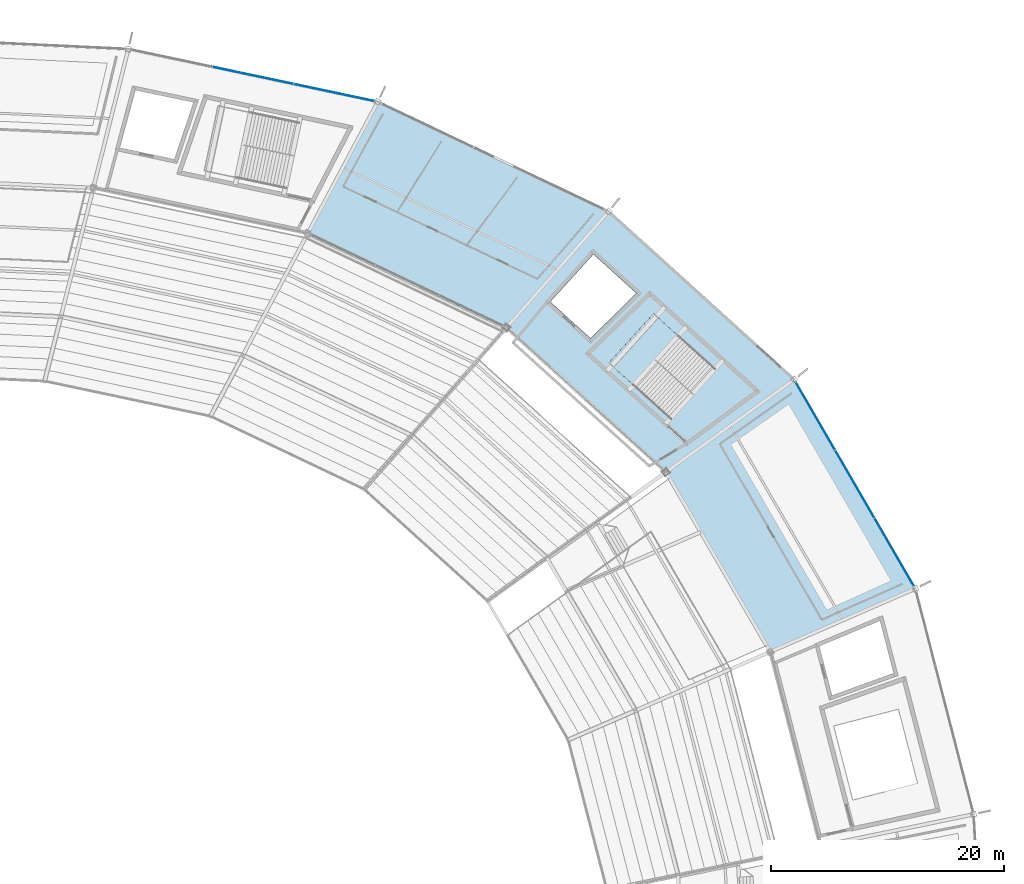
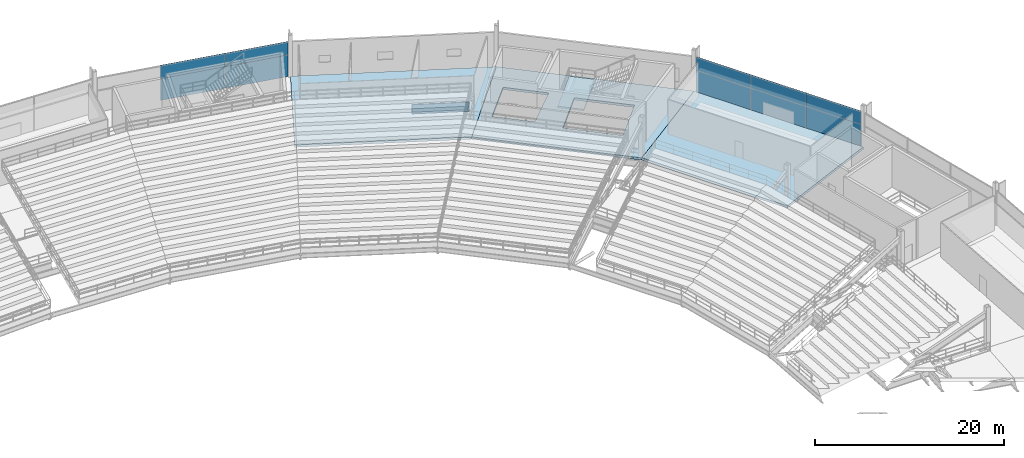
# One storey, part 124 of 186: 11 plates, 4 slabs, 4 elements without a shape of their own.
"""IFC4 building model written with IfcOpenShell, lengths in metres."""

from ifc_helpers import new_model, si_unit, direction, frame, origin, origin_2d, place, context, subcontext, project, spatial, polyline, rectangle, outline, extrude, material, layer, layer_set, type_object, element, aggregate, save


model = new_model("IFC4")

# Units and contexts
model_context = context("Model", 3, precision=1e-05, world=origin(), true_north=direction((0.0, 1.0)))
body_context = subcontext(model_context, "Body", "Model", "MODEL_VIEW")
ifc_project = project(units=[si_unit("LENGTHUNIT", "METRE"), si_unit("AREAUNIT", "SQUARE_METRE"), si_unit("VOLUMEUNIT", "CUBIC_METRE"), si_unit("PLANEANGLEUNIT", "RADIAN"), si_unit("MASSUNIT", "GRAM", prefix="KILO")], contexts=[model_context])

# Site, building, storey
site_placement = place(None, origin())
site = spatial("IfcSite", under=ifc_project, at=site_placement, CompositionType="ELEMENT")
building_placement = place(site_placement, origin())
building = spatial("IfcBuilding", under=site, at=building_placement, Name="Kazemori Nagisa Stadium", CompositionType="ELEMENT")
storey_placement = place(building_placement, frame((0.0, 0.0, 20.39990234375)))
storey = spatial("IfcBuildingStorey", under=building, at=storey_placement, Name="L04", CompositionType="ELEMENT", Elevation=20.39990234375)

# Curtain wall, plate
ifc_material_1 = material(Name="Anodised aluminium 6063-T5", Category="aluminium")
ifc_layer_1 = layer(ifc_material_1, 0.179931640625, Name="Anodised aluminium 6063-T5", Category="aluminium")
ifc_layer_set_1 = layer_set([ifc_layer_1], Name="Anodised aluminium 6063-T5")
curtain_wall_type_1 = type_object("IfcCurtainWallType", Name="CW_L04B_92", PredefinedType="USERDEFINED", material=ifc_layer_set_1)
curtain_wall_1_placement = place(storey_placement, origin())
curtain_wall_1 = element("IfcCurtainWall", 1, at=curtain_wall_1_placement, inside=storey, type_object=curtain_wall_type_1, Name="Unitised curtain wall CW-L04B-92 L04", ObjectType="UNITISED CURTAIN WALL", PredefinedType="USERDEFINED")
ifc_material_2 = material(Name="Anodised aluminium spandrel sheet", Category="aluminium")
ifc_layer_2 = layer(ifc_material_2, 0.0439453125, Name="Anodised aluminium spandrel sheet", Category="aluminium")
ifc_layer_set_2 = layer_set([ifc_layer_2], Name="Anodised aluminium spandrel sheet")
plate_type_1 = type_object("IfcPlateType", Name="CWPanel_SPN_L04B_92", PredefinedType="CURTAIN_PANEL", material=ifc_layer_set_2)
plate_1_placement = place(storey_placement, frame((173.819580078125, 164.543212890625, 3.352294921875), z_axis=(0.0, 0.0, 1.0), x_axis=(-0.903215892654, 0.429186499388, 0.0)))
plate_1 = element("IfcPlate", 2, at=plate_1_placement, type_object=plate_type_1, Name="Curtain wall spandrel panel CW-L04B-92-S1", PredefinedType="CURTAIN_PANEL", context=body_context, shape_type="SweptSolid", body=[
    extrude(rectangle(XDim=6.061279296875, YDim=0.0439453125, at=origin_2d()), origin(), (0.0, 0.0, 1.0), 1.177734375),
])
aggregate(curtain_wall_1, [plate_1])

# Curtain wall, plates
ifc_layer_3 = layer(ifc_material_1, 0.179931640625, Name="Anodised aluminium 6063-T5", Category="aluminium")
ifc_layer_set_3 = layer_set([ifc_layer_3], Name="Anodised aluminium 6063-T5")
curtain_wall_type_2 = type_object("IfcCurtainWallType", Name="CW_L04R3_101", PredefinedType="USERDEFINED", material=ifc_layer_set_3)
curtain_wall_2_placement = place(storey_placement, origin())
curtain_wall_2 = element("IfcCurtainWall", 3, at=curtain_wall_2_placement, inside=storey, type_object=curtain_wall_type_2, Name="Unitised curtain wall CW-L04R3-101 L04", ObjectType="UNITISED CURTAIN WALL", PredefinedType="USERDEFINED")
ifc_layer_4 = layer(ifc_material_2, 0.0458984375, Name="Anodised aluminium spandrel sheet", Category="aluminium")
ifc_layer_set_4 = layer_set([ifc_layer_4], Name="Anodised aluminium spandrel sheet")
plate_type_2 = type_object("IfcPlateType", Name="CWPanel_SPN_L04R3_101", PredefinedType="CURTAIN_PANEL", material=ifc_layer_set_4)
plate_2_placement = place(storey_placement, frame((210.068115234375, 143.883056640625, 2.80859375), z_axis=(0.0, 0.0, 1.0), x_axis=(-0.501611590054, 0.865092950337, 0.0)))
plate_2 = element("IfcPlate", 4, at=plate_2_placement, type_object=plate_type_2, Name="Curtain wall spandrel panel CW-L04R3-101-S1", PredefinedType="CURTAIN_PANEL", context=body_context, shape_type="SweptSolid", body=[
    extrude(rectangle(XDim=6.7099609375, YDim=0.0458984375, at=origin_2d()), origin(), (0.0, 0.0, 1.0), 1.721435546875),
])
plate_3_placement = place(storey_placement, frame((206.690185546875, 149.70849609375, 2.80859375), z_axis=(0.0, 0.0, 1.0), x_axis=(-0.501611590054, 0.865092950337, 0.0)))
plate_3 = element("IfcPlate", 5, at=plate_3_placement, type_object=plate_type_2, Name="Curtain wall spandrel panel CW-L04R3-101-S2", PredefinedType="CURTAIN_PANEL", context=body_context, shape_type="SweptSolid", body=[
    extrude(rectangle(XDim=6.7099609375, YDim=0.0458984375, at=origin_2d()), origin(), (0.0, 0.0, 1.0), 1.721435546875),
])
plate_4_placement = place(storey_placement, frame((203.312255859375, 155.5341796875, 2.80859375), z_axis=(0.0, 0.0, 1.0), x_axis=(-0.501611590054, 0.865092950337, 0.0)))
plate_4 = element("IfcPlate", 6, at=plate_4_placement, type_object=plate_type_2, Name="Curtain wall spandrel panel CW-L04R3-101-S3", PredefinedType="CURTAIN_PANEL", context=body_context, shape_type="SweptSolid", body=[
    extrude(rectangle(XDim=6.7099609375, YDim=0.0458984375, at=origin_2d()), origin(), (0.0, 0.0, 1.0), 1.721435546875),
])

ifc_layer_5 = layer(ifc_material_1, 0.179931640625, Name="Anodised aluminium 6063-T5", Category="aluminium")
ifc_layer_set_5 = layer_set([ifc_layer_5], Name="Anodised aluminium 6063-T5")
curtain_wall_type_3 = type_object("IfcCurtainWallType", Name="CW_L04R3_107", PredefinedType="USERDEFINED", material=ifc_layer_set_5)
curtain_wall_3_placement = place(storey_placement, origin())
curtain_wall_3 = element("IfcCurtainWall", 7, at=curtain_wall_3_placement, inside=storey, type_object=curtain_wall_type_3, Name="Unitised curtain wall CW-L04R3-107 L04", ObjectType="UNITISED CURTAIN WALL", PredefinedType="USERDEFINED")
ifc_layer_6 = layer(ifc_material_2, 0.0458984375, Name="Anodised aluminium spandrel sheet", Category="aluminium")
ifc_layer_set_6 = layer_set([ifc_layer_6], Name="Anodised aluminium spandrel sheet")
plate_type_3 = type_object("IfcPlateType", Name="CWPanel_SPN_L04R3_107", PredefinedType="CURTAIN_PANEL", material=ifc_layer_set_6)
plate_5_placement = place(storey_placement, frame((162.07568359375, 183.253173828125, 2.80859375), z_axis=(0.0, 0.0, 1.0), x_axis=(-0.978344955407, 0.206981033502, 0.0)))
plate_5 = element("IfcPlate", 8, at=plate_5_placement, type_object=plate_type_3, Name="Curtain wall spandrel panel CW-L04R3-107-S1", PredefinedType="CURTAIN_PANEL", context=body_context, shape_type="SweptSolid", body=[
    extrude(rectangle(XDim=7.08935546875, YDim=0.0458984375, at=origin_2d()), origin(), (0.0, 0.0, 1.0), 1.721435546875),
])
plate_6_placement = place(storey_placement, frame((155.1162109375, 184.7255859375, 2.80859375), z_axis=(0.0, 0.0, 1.0), x_axis=(-0.978344955407, 0.206981033502, 0.0)))
plate_6 = element("IfcPlate", 9, at=plate_6_placement, type_object=plate_type_3, Name="Curtain wall spandrel panel CW-L04R3-107-S2", PredefinedType="CURTAIN_PANEL", context=body_context, shape_type="SweptSolid", body=[
    extrude(rectangle(XDim=7.08935546875, YDim=0.0458984375, at=origin_2d()), origin(), (0.0, 0.0, 1.0), 1.721435546875),
])

# Plate
ifc_material_3 = material(Name="Low-e laminated double glazing", Category="glass")
ifc_layer_7 = layer(ifc_material_3, 0.029052734375, Name="Low-e laminated double glazing", Category="glass")
ifc_layer_set_7 = layer_set([ifc_layer_7], Name="Low-e laminated double glazing")
plate_type_4 = type_object("IfcPlateType", Name="CWPanel_VIS_L04R3_101", PredefinedType="CURTAIN_PANEL", material=ifc_layer_set_7)
plate_7_placement = place(storey_placement, frame((210.068115234375, 143.883056640625, 0.0), z_axis=(0.0, 0.0, 1.0), x_axis=(-0.501611590054, 0.865092950337, 0.0)))
plate_7 = element("IfcPlate", 10, at=plate_7_placement, type_object=plate_type_4, Name="Curtain wall vision panel CW-L04R3-101-V1", PredefinedType="CURTAIN_PANEL", context=body_context, shape_type="SweptSolid", body=[
    extrude(rectangle(XDim=6.7099609375, YDim=0.029052734375, at=origin_2d()), origin(), (0.0, 0.0, 1.0), 2.80859375),
])

plate_8_placement = place(storey_placement, frame((206.690185546875, 149.70849609375, 0.0), z_axis=(0.0, 0.0, 1.0), x_axis=(-0.501611590054, 0.865092950337, 0.0)))
plate_8 = element("IfcPlate", 11, at=plate_8_placement, type_object=plate_type_4, Name="Curtain wall vision panel CW-L04R3-101-V2", PredefinedType="CURTAIN_PANEL", context=body_context, shape_type="SweptSolid", body=[
    extrude(rectangle(XDim=6.7099609375, YDim=0.029052734375, at=origin_2d()), origin(), (0.0, 0.0, 1.0), 2.80859375),
])

plate_9_placement = place(storey_placement, frame((203.312255859375, 155.5341796875, 0.0), z_axis=(0.0, 0.0, 1.0), x_axis=(-0.501611590054, 0.865092950337, 0.0)))
plate_9 = element("IfcPlate", 12, at=plate_9_placement, type_object=plate_type_4, Name="Curtain wall vision panel CW-L04R3-101-V3", PredefinedType="CURTAIN_PANEL", context=body_context, shape_type="SweptSolid", body=[
    extrude(rectangle(XDim=6.7099609375, YDim=0.029052734375, at=origin_2d()), origin(), (0.0, 0.0, 1.0), 2.80859375),
])

aggregate(curtain_wall_2, [plate_7, plate_2, plate_8, plate_3, plate_9, plate_4])

ifc_layer_8 = layer(ifc_material_3, 0.029052734375, Name="Low-e laminated double glazing", Category="glass")
ifc_layer_set_8 = layer_set([ifc_layer_8], Name="Low-e laminated double glazing")
plate_type_5 = type_object("IfcPlateType", Name="CWPanel_VIS_L04R3_107", PredefinedType="CURTAIN_PANEL", material=ifc_layer_set_8)
plate_10_placement = place(storey_placement, frame((162.07568359375, 183.253173828125, 0.0), z_axis=(0.0, 0.0, 1.0), x_axis=(-0.978344955407, 0.206981033502, 0.0)))
plate_10 = element("IfcPlate", 13, at=plate_10_placement, type_object=plate_type_5, Name="Curtain wall vision panel CW-L04R3-107-V1", PredefinedType="CURTAIN_PANEL", context=body_context, shape_type="SweptSolid", body=[
    extrude(rectangle(XDim=7.08935546875, YDim=0.029052734375, at=origin_2d()), origin(), (0.0, 0.0, 1.0), 2.80859375),
])

plate_11_placement = place(storey_placement, frame((155.1162109375, 184.7255859375, 0.0), z_axis=(0.0, 0.0, 1.0), x_axis=(-0.978344955407, 0.206981033502, 0.0)))
plate_11 = element("IfcPlate", 14, at=plate_11_placement, type_object=plate_type_5, Name="Curtain wall vision panel CW-L04R3-107-V2", PredefinedType="CURTAIN_PANEL", context=body_context, shape_type="SweptSolid", body=[
    extrude(rectangle(XDim=7.08935546875, YDim=0.029052734375, at=origin_2d()), origin(), (0.0, 0.0, 1.0), 2.80859375),
])

aggregate(curtain_wall_3, [plate_10, plate_5, plate_11, plate_6])

# Stair, slab
ifc_material_4 = material(Name="Concrete C36/45 (Fc36)", Category="concrete")
stair_type = type_object("IfcStairType", Name="Stair_CORE_32", PredefinedType="TWO_STRAIGHT_RUN_STAIR", material=ifc_material_4)
stair_placement = place(storey_placement, origin())
stair = element("IfcStair", 15, at=stair_placement, inside=storey, type_object=stair_type, Name="Exit stair ST01 L04", PredefinedType="TWO_STRAIGHT_RUN_STAIR")
ifc_layer_9 = layer(ifc_material_4, 0.199951171875, Name="Concrete C36/45 (Fc36)", Category="concrete")
ifc_layer_set_9 = layer_set([ifc_layer_9], Name="Concrete C36/45 (Fc36)")
slab_type_1 = type_object("IfcSlabType", Name="Slab_SL-LND-200", PredefinedType="LANDING", material=ifc_layer_set_9)
slab_1_placement = place(storey_placement, frame((0.0, 0.0, 2.52001953125)))
slab_1 = element("IfcSlab", 16, at=slab_1_placement, type_object=slab_type_1, Name="Exit stair ST01 L04 mid-landing", PredefinedType="LANDING", context=body_context, shape_type="SweptSolid", body=[
    extrude(outline(polyline([(187.729248046875, 158.18310546875), (185.616455078125, 160.095947265625), (189.44189453125, 164.321533203125), (191.5546875, 162.408935546875), (187.729248046875, 158.18310546875)])), origin(), (0.0, 0.0, 1.0), 0.2001953125),
])
aggregate(stair, [slab_1])

# Slabs
ifc_layer_10 = layer(ifc_material_4, 0.300048828125, Name="Concrete C36/45 (Fc36)", Category="concrete")
ifc_layer_set_10 = layer_set([ifc_layer_10], Name="Concrete C36/45 (Fc36)")
slab_type_2 = type_object("IfcSlabType", Name="Slab_SL-UPPER-300", PredefinedType="FLOOR", material=ifc_layer_set_10)
slab_2_placement = place(storey_placement, frame((0.0, 0.0, -0.2998046875)))
element("IfcSlab", 17, at=slab_2_placement, inside=storey, type_object=slab_type_2, Name="Concourse floor slab L04 bay 03", PredefinedType="FLOOR", context=body_context, shape_type="SweptSolid", body=[
    extrude(outline(polyline([(199.44091796875, 135.32470703125), (190.506103515625, 150.734130859375), (201.495361328125, 158.667724609375), (211.885009765625, 140.74951171875), (199.44091796875, 135.32470703125)])), origin(), (0.0, 0.0, 1.0), 0.2998046875),
])
slab_3_placement = place(storey_placement, frame((0.0, 0.0, -0.2998046875)))
element("IfcSlab", 18, at=slab_3_placement, inside=storey, type_object=slab_type_2, Name="Concourse floor slab L04 bay 04", PredefinedType="FLOOR", context=body_context, shape_type="SweptSolid", body=[
    extrude(outline(polyline([(190.506103515625, 150.734130859375), (176.834228515625, 163.11083984375), (185.597900390625, 173.05908203125), (201.495361328125, 158.667724609375), (190.506103515625, 150.734130859375)]), holes=[polyline([(190.87646484375, 155.334228515625), (186.0390625, 159.71337890625), (189.864501953125, 163.93896484375), (194.70166015625, 159.56005859375), (190.87646484375, 155.334228515625)]), polyline([(184.043701171875, 162.204345703125), (180.594482421875, 165.32666015625), (184.289794921875, 169.3896484375), (187.960205078125, 166.06689453125), (184.043701171875, 162.204345703125)])]), origin(), (0.0, 0.0, 1.0), 0.2998046875),
])
slab_4_placement = place(storey_placement, frame((0.0, 0.0, -0.2998046875)))
element("IfcSlab", 19, at=slab_4_placement, inside=storey, type_object=slab_type_2, Name="Concourse floor slab L04 bay 05", PredefinedType="FLOOR", context=body_context, shape_type="SweptSolid", body=[
    extrude(outline(polyline([(176.834228515625, 163.11083984375), (159.81201171875, 171.19921875), (165.8046875, 182.46435546875), (185.597900390625, 173.05908203125), (176.834228515625, 163.11083984375)])), origin(), (0.0, 0.0, 1.0), 0.2998046875),
])

save(model, "model.ifc")
